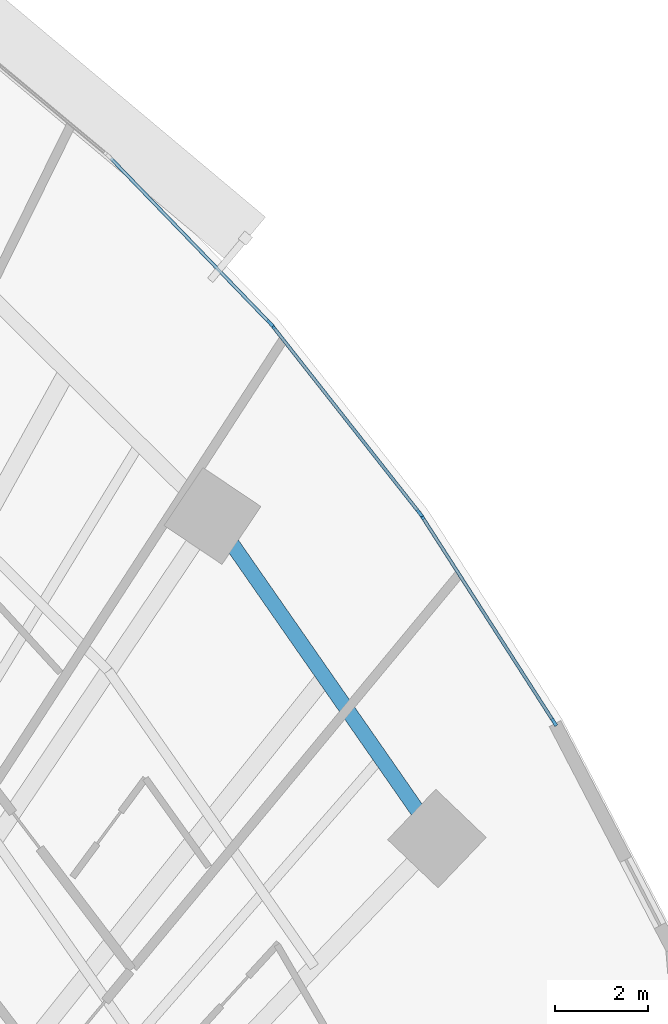
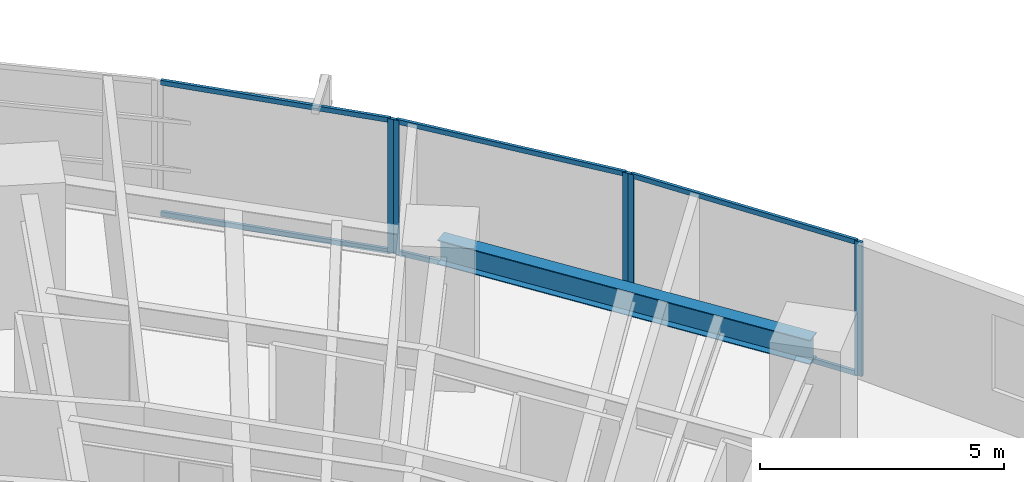
# One storey, part 8 of 18: 11 members, 1 beam, 3 elements without a shape of their own.
"""IFC4 building model written with IfcOpenShell, lengths in metres."""

from ifc_helpers import new_model, si_unit, direction, frame, origin, origin_2d, place, context, subcontext, project, spatial, rectangle, i_section, extrude, source, transform, mapped, material, layer, layer_set, material_profile, profile_set, type_object, type_shapes, element, aggregate, save


model = new_model("IFC4")

# Units and contexts
model_context = context("Model", 3, precision=1e-05, world=origin(), true_north=direction((0.0, 1.0)))
body_context = subcontext(model_context, "Body", "Model", "MODEL_VIEW")
ifc_project = project(units=[si_unit("LENGTHUNIT", "METRE"), si_unit("AREAUNIT", "SQUARE_METRE"), si_unit("VOLUMEUNIT", "CUBIC_METRE"), si_unit("PLANEANGLEUNIT", "RADIAN"), si_unit("MASSUNIT", "GRAM", prefix="KILO")], contexts=[model_context])

# Site, building, storey
site_placement = place(None, origin())
site = spatial("IfcSite", under=ifc_project, at=site_placement, CompositionType="ELEMENT")
building_placement = place(site_placement, origin())
building = spatial("IfcBuilding", under=site, at=building_placement, Name="Breltana Convention Tower", CompositionType="ELEMENT")
storey_placement = place(building_placement, frame((0.0, 0.0, 39.0)))
storey = spatial("IfcBuildingStorey", under=building, at=storey_placement, Name="L07", CompositionType="ELEMENT", Elevation=39.0)

# Beam
ifc_material_1 = material(Name="Steel ASTM A992 Grade 50", Category="steel")
ifc_material_profile_1 = material_profile(ifc_material_1, i_section(OverallWidth=0.323974609375, OverallDepth=0.611083984375, WebThickness=0.0126953125, FlangeThickness=0.01904296875, at=origin_2d()), Name="W24X104")
ifc_profile_set_1 = profile_set([ifc_material_profile_1], Name="Steel ASTM A992 Grade 50")
beam_type = type_object("IfcBeamType", Name="BM-SP-W24X104", PredefinedType="SPANDREL", material=ifc_profile_set_1)
shared_shape_1 = source(origin(), body_context, "Body", "SweptSolid", [
    extrude(i_section(OverallWidth=0.323974609375, OverallDepth=0.611083984375, WebThickness=0.0126953125, FlangeThickness=0.01904296875, at=origin_2d()), origin(), (0.0, 0.0, 1.0), 8.44970703125),
])
beam_placement = place(storey_placement, frame((75.166748046875, 62.43017578125, 3.054443359375), z_axis=(0.5711855381, -0.820820979913, 0.0), x_axis=(0.820820979913, 0.5711855381, 0.0)))
element("IfcBeam", 1, at=beam_placement, inside=storey, type_object=beam_type, Name="L07 Outer Spandrel Beam 10", PredefinedType="SPANDREL", context=body_context, shape_type="MappedRepresentation", body=[
    mapped(shared_shape_1, transform((0.0, 0.0, 0.0), scale=1.0)),
])

# Curtain wall, member
ifc_material_2 = material(Name="Aluminium Anodised Bronze Frame", Category="aluminium")
ifc_layer = layer(ifc_material_2, 0.199951171875, Name="Aluminium Anodised Bronze Frame")
ifc_layer_set = layer_set([ifc_layer], Name="Aluminium Anodised Bronze Frame")
curtain_wall_type = type_object("IfcCurtainWallType", Name="CW-SYS-2", PredefinedType="NOTDEFINED", material=ifc_layer_set)
curtain_wall_1_placement = place(storey_placement, origin())
curtain_wall_1 = element("IfcCurtainWall", 2, at=curtain_wall_1_placement, inside=storey, type_object=curtain_wall_type, Name="L07 outer double-skin inner glazing 16", PredefinedType="NOTDEFINED")
ifc_material_3 = material(Name="Aluminium Anodised Bronze", Category="aluminium")
ifc_material_profile_2 = material_profile(ifc_material_3, rectangle(XDim=0.070068359375, YDim=0.175048828125, at=origin_2d()), Name="CWM-70X175")
ifc_profile_set_2 = profile_set([ifc_material_profile_2], Name="Aluminium Anodised Bronze")
member_type_1 = type_object("IfcMemberType", Name="CWM-175", PredefinedType="MULLION", material=ifc_profile_set_2)
shared_shape_2 = source(origin(), body_context, "Body", "SweptSolid", [
    extrude(rectangle(XDim=0.070068359375, YDim=0.175048828125, at=origin_2d()), origin(), (0.0, 0.0, 1.0), 3.360107421875),
])
type_shapes(member_type_1, [shared_shape_2])
member_1_placement = place(storey_placement, frame((76.408935546875, 66.571533203125, 0.0), z_axis=(0.0, 0.0, 1.0), x_axis=(0.719386421003, 0.694610090106, 0.0)))
member_1 = element("IfcMember", 3, at=member_1_placement, type_object=member_type_1, Name="CW-02 mullion 2", PredefinedType="MULLION", context=body_context, shape_type="MappedRepresentation", body=[
    mapped(shared_shape_2, transform((0.0, 0.0, 0.0), scale=1.0)),
])

# Curtain wall, members
curtain_wall_2_placement = place(storey_placement, origin())
curtain_wall_2 = element("IfcCurtainWall", 4, at=curtain_wall_2_placement, inside=storey, type_object=curtain_wall_type, Name="L07 outer double-skin inner glazing 17", PredefinedType="NOTDEFINED")
member_2_placement = place(storey_placement, frame((76.454833984375, 66.518798828125, 0.0), z_axis=(0.0, 0.0, 1.0), x_axis=(0.786057080698, 0.618153917633, 0.0)))
member_2 = element("IfcMember", 5, at=member_2_placement, type_object=member_type_1, Name="CW-02 mullion 1", PredefinedType="MULLION", context=body_context, shape_type="MappedRepresentation", body=[
    mapped(shared_shape_2, transform((0.0, 0.0, 0.0), scale=1.0)),
])
member_3_placement = place(storey_placement, frame((79.62255859375, 62.49072265625, 0.0), z_axis=(0.0, 0.0, 1.0), x_axis=(0.786057080698, 0.618153917633, 0.0)))
member_3 = element("IfcMember", 6, at=member_3_placement, type_object=member_type_1, Name="CW-02 mullion 2", PredefinedType="MULLION", context=body_context, shape_type="MappedRepresentation", body=[
    mapped(shared_shape_2, transform((0.0, 0.0, 0.0), scale=1.0)),
])

curtain_wall_3_placement = place(storey_placement, origin())
curtain_wall_3 = element("IfcCurtainWall", 7, at=curtain_wall_3_placement, inside=storey, type_object=curtain_wall_type, Name="L07 outer double-skin inner glazing 18", PredefinedType="NOTDEFINED")
member_4_placement = place(storey_placement, frame((79.6630859375, 62.43359375, 0.0), z_axis=(0.0, 0.0, 1.0), x_axis=(0.841549039154, 0.540180724109, 0.0)))
member_4 = element("IfcMember", 8, at=member_4_placement, type_object=member_type_1, Name="CW-02 mullion 1", PredefinedType="MULLION", context=body_context, shape_type="MappedRepresentation", body=[
    mapped(shared_shape_2, transform((0.0, 0.0, 0.0), scale=1.0)),
])
member_5_placement = place(storey_placement, frame((82.512939453125, 57.993896484375, 0.0), z_axis=(0.0, 0.0, 1.0), x_axis=(0.841549039154, 0.540180724109, 0.0)))
member_5 = element("IfcMember", 9, at=member_5_placement, type_object=member_type_1, Name="CW-02 mullion 2", PredefinedType="MULLION", context=body_context, shape_type="MappedRepresentation", body=[
    mapped(shared_shape_2, transform((0.0, 0.0, 0.0), scale=1.0)),
])

# Member
ifc_material_profile_3 = material_profile(ifc_material_3, rectangle(XDim=0.070068359375, YDim=0.1201171875, at=origin_2d()), Name="CWT-70X120")
ifc_profile_set_3 = profile_set([ifc_material_profile_3], Name="Aluminium Anodised Bronze")
member_type_2 = type_object("IfcMemberType", Name="CWT-120", PredefinedType="USERDEFINED", material=ifc_profile_set_3)
shared_shape_3 = source(origin(), body_context, "Body", "SweptSolid", [
    extrude(rectangle(XDim=0.070068359375, YDim=0.1201171875, at=origin_2d()), origin(), (0.0, 0.0, 1.0), 5.0546875),
])
member_6_placement = place(storey_placement, frame((76.4765625, 66.491455078125, 0.034912109375), z_axis=(0.618135067667, -0.786071903913, 0.0), x_axis=(0.786071903913, 0.618135067667, 0.0)))
member_6 = element("IfcMember", 10, at=member_6_placement, type_object=member_type_2, Name="CW-02 transom 1.1", ObjectType="TRANSOM", PredefinedType="USERDEFINED", context=body_context, shape_type="MappedRepresentation", body=[
    mapped(shared_shape_3, transform((0.0, 0.0, 0.0), scale=1.0)),
])

member_7_placement = place(storey_placement, frame((76.4765625, 66.491455078125, 3.324951171875), z_axis=(0.618135067667, -0.786071903913, 0.0), x_axis=(0.786071903913, 0.618135067667, 0.0)))
member_7 = element("IfcMember", 11, at=member_7_placement, type_object=member_type_2, Name="CW-02 transom 1.2", ObjectType="TRANSOM", PredefinedType="USERDEFINED", context=body_context, shape_type="MappedRepresentation", body=[
    mapped(shared_shape_3, transform((0.0, 0.0, 0.0), scale=1.0)),
])

aggregate(curtain_wall_2, [member_2, member_3, member_6, member_7])

shared_shape_4 = source(origin(), body_context, "Body", "SweptSolid", [
    extrude(rectangle(XDim=0.070068359375, YDim=0.1201171875, at=origin_2d()), origin(), (0.0, 0.0, 1.0), 4.901123046875),
])
member_8_placement = place(storey_placement, frame((72.980224609375, 70.12255859375, 0.034912109375), z_axis=(0.6945945137, -0.719401460617, 0.0), x_axis=(0.719401460617, 0.6945945137, 0.0)))
member_8 = element("IfcMember", 12, at=member_8_placement, type_object=member_type_2, Name="CW-02 transom 1.1", ObjectType="TRANSOM", PredefinedType="USERDEFINED", context=body_context, shape_type="MappedRepresentation", body=[
    mapped(shared_shape_4, transform((0.0, 0.0, 0.0), scale=1.0)),
])

member_9_placement = place(storey_placement, frame((72.980224609375, 70.12255859375, 3.324951171875), z_axis=(0.6945945137, -0.719401460617, 0.0), x_axis=(0.719401460617, 0.6945945137, 0.0)))
member_9 = element("IfcMember", 13, at=member_9_placement, type_object=member_type_2, Name="CW-02 transom 1.2", ObjectType="TRANSOM", PredefinedType="USERDEFINED", context=body_context, shape_type="MappedRepresentation", body=[
    mapped(shared_shape_4, transform((0.0, 0.0, 0.0), scale=1.0)),
])

aggregate(curtain_wall_1, [member_1, member_8, member_9])

shared_shape_5 = source(origin(), body_context, "Body", "SweptSolid", [
    extrude(rectangle(XDim=0.070068359375, YDim=0.1201171875, at=origin_2d()), origin(), (0.0, 0.0, 1.0), 5.205810546875),
])
member_10_placement = place(storey_placement, frame((79.68212890625, 62.404296875, 0.034912109375), z_axis=(0.540179102764, -0.841550079875, 0.0), x_axis=(0.841550079875, 0.540179102764, 0.0)))
member_10 = element("IfcMember", 14, at=member_10_placement, type_object=member_type_2, Name="CW-02 transom 1.1", ObjectType="TRANSOM", PredefinedType="USERDEFINED", context=body_context, shape_type="MappedRepresentation", body=[
    mapped(shared_shape_5, transform((0.0, 0.0, 0.0), scale=1.0)),
])

member_11_placement = place(storey_placement, frame((79.68212890625, 62.404296875, 3.324951171875), z_axis=(0.540179102764, -0.841550079875, 0.0), x_axis=(0.841550079875, 0.540179102764, 0.0)))
member_11 = element("IfcMember", 15, at=member_11_placement, type_object=member_type_2, Name="CW-02 transom 1.2", ObjectType="TRANSOM", PredefinedType="USERDEFINED", context=body_context, shape_type="MappedRepresentation", body=[
    mapped(shared_shape_5, transform((0.0, 0.0, 0.0), scale=1.0)),
])

aggregate(curtain_wall_3, [member_4, member_5, member_10, member_11])

save(model, "model.ifc")
